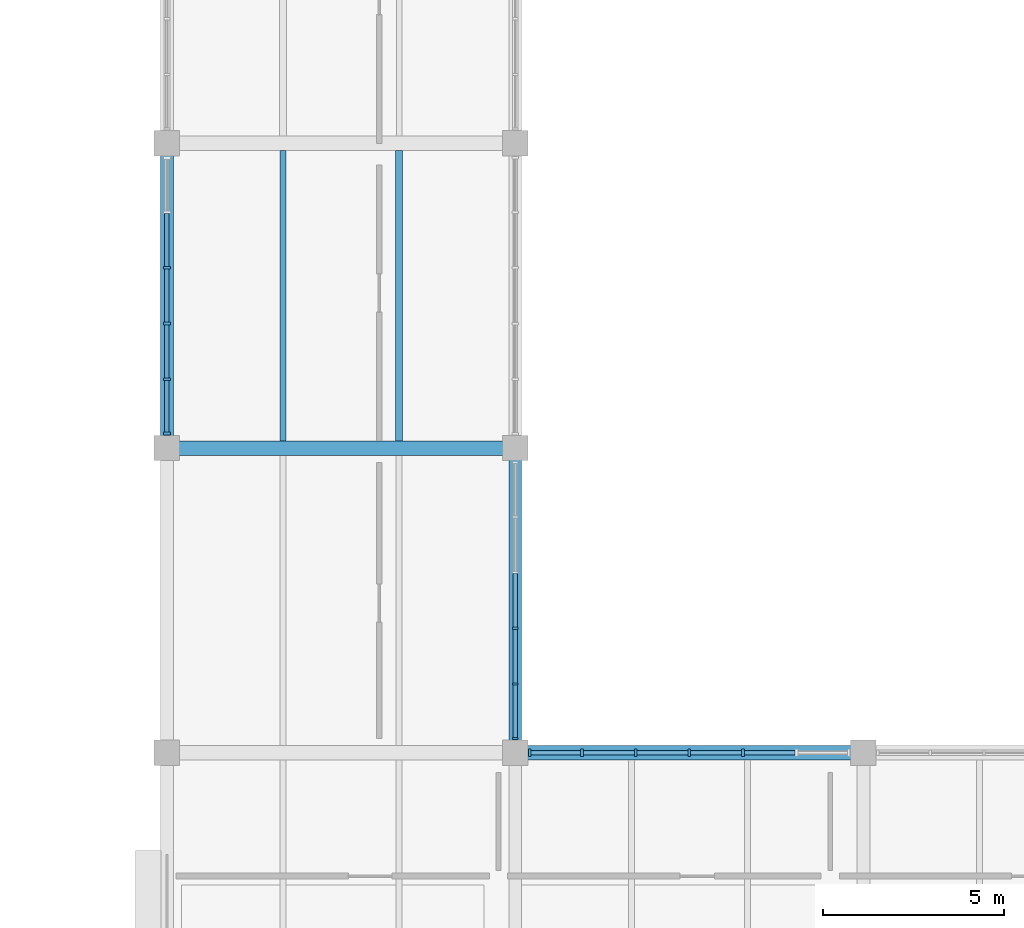
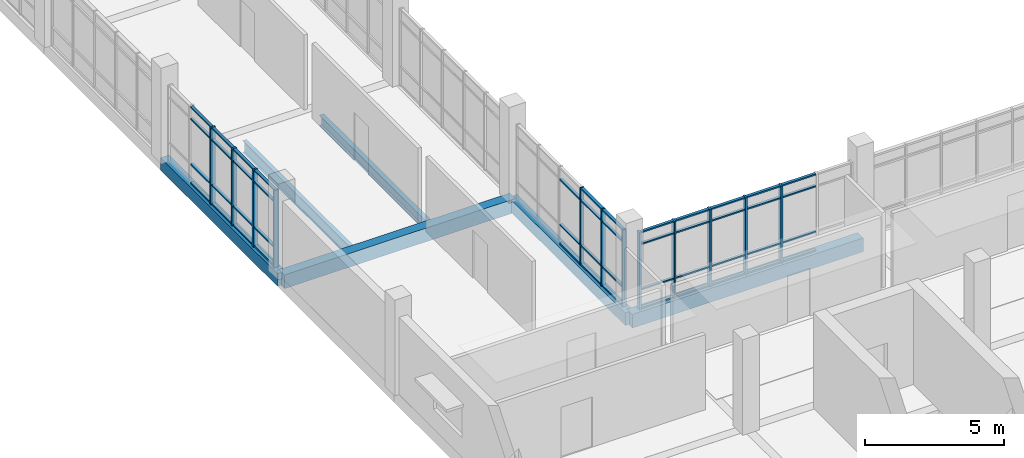
# One storey, part 6 of 57: 59 members, 6 beams, 3 elements without a shape of their own.
"""IFC4 building model written with IfcOpenShell, lengths in metres."""

from ifc_helpers import new_model, si_unit, direction, frame, origin, origin_2d, place, context, subcontext, project, spatial, rectangle, i_section, extrude, material, material_profile, profile_set, type_object, element, aggregate, save


model = new_model("IFC4")

# Units and contexts
model_context = context("Model", 3, precision=1e-05, world=origin(), true_north=direction((0.0, 1.0)))
body_context = subcontext(model_context, "Body", "Model", "MODEL_VIEW")
ifc_project = project(units=[si_unit("LENGTHUNIT", "METRE"), si_unit("AREAUNIT", "SQUARE_METRE"), si_unit("VOLUMEUNIT", "CUBIC_METRE"), si_unit("PLANEANGLEUNIT", "RADIAN"), si_unit("MASSUNIT", "GRAM", prefix="KILO")], contexts=[model_context])

# Site, building, storey
site_placement = place(None, origin())
site = spatial("IfcSite", under=ifc_project, at=site_placement, CompositionType="ELEMENT")
building_placement = place(site_placement, origin())
building = spatial("IfcBuilding", under=site, at=building_placement, Name="Oolite Switchyard Hospital", CompositionType="ELEMENT")
storey_placement = place(building_placement, frame((0.0, 0.0, 17.800048828125)))
storey = spatial("IfcBuildingStorey", under=building, at=storey_placement, Name="L04", CompositionType="ELEMENT", Elevation=17.800048828125)

# Beams
ifc_material_1 = material(Name="Concrete C40/50", Category="concrete")
ifc_material_profile_1 = material_profile(ifc_material_1, rectangle(XDim=0.35009765625, YDim=0.550048828125, at=origin_2d()), Name="RCB350X550")
ifc_profile_set_1 = profile_set([ifc_material_profile_1], Name="Concrete C40/50")
beam_type_1 = type_object("IfcBeamType", Name="BM-RC350X550", PredefinedType="BEAM", material=ifc_profile_set_1)
beam_1_placement = place(storey_placement, frame((134.39990234375, 33.60009765625, -0.275146484375), z_axis=(0.0, 1.0, 0.0), x_axis=(-1.0, 0.0, 0.0)))
element("IfcBeam", 1, at=beam_1_placement, inside=storey, type_object=beam_type_1, Name="L04 Y-Girder 2979", PredefinedType="BEAM", context=body_context, shape_type="SweptSolid", body=[
    extrude(rectangle(XDim=0.35009765625, YDim=0.550048828125, at=origin_2d()), origin(), (0.0, 0.0, 1.0), 8.39990234375),
])
beam_2_placement = place(storey_placement, frame((144.0, 25.199951171875, -0.275146484375), z_axis=(0.0, 1.0, 0.0), x_axis=(-1.0, 0.0, 0.0)))
element("IfcBeam", 2, at=beam_2_placement, inside=storey, type_object=beam_type_1, Name="L04 Y-Girder 2993", PredefinedType="BEAM", context=body_context, shape_type="SweptSolid", body=[
    extrude(rectangle(XDim=0.35009765625, YDim=0.550048828125, at=origin_2d()), origin(), (0.0, 0.0, 1.0), 8.400146484375),
])
ifc_material_profile_2 = material_profile(ifc_material_1, rectangle(XDim=0.39990234375, YDim=0.60009765625, at=origin_2d()), Name="RCB400X600")
ifc_profile_set_2 = profile_set([ifc_material_profile_2], Name="Concrete C40/50")
beam_type_2 = type_object("IfcBeamType", Name="BM-RC400X600", PredefinedType="BEAM", material=ifc_profile_set_2)
for number, where, z_axis, x_axis, name in (
    (3, (144.0, 25.199951171875, -0.300048828125), (1.0, 0.0, 0.0), (0.0, 1.0, 0.0), "L04 X-Girder 2772"),
    (4, (134.39990234375, 33.60009765625, -0.300048828125), (1.0, 0.0, 0.0), (0.0, 1.0, 0.0), "L04 X-Girder 2781"),
):
    element("IfcBeam", number, at=place(storey_placement, frame(where, z_axis=z_axis, x_axis=x_axis)), inside=storey, type_object=beam_type_2, Name=name, PredefinedType="BEAM", context=body_context, shape_type="SweptSolid", body=[
        extrude(rectangle(XDim=0.39990234375, YDim=0.60009765625, at=origin_2d()), origin(), (0.0, 0.0, 1.0), 9.60009765625),
    ])
ifc_material_2 = material(Name="Steel ASTM A992 Grade 50", Category="steel")
ifc_material_profile_3 = material_profile(ifc_material_2, i_section(OverallWidth=0.19091796875, OverallDepth=0.4599609375, WebThickness=0.010009765625, FlangeThickness=0.01611328125, at=origin_2d()), Name="W18X55")
ifc_profile_set_3 = profile_set([ifc_material_profile_3], Name="Steel ASTM A992 Grade 50")
beam_type_3 = type_object("IfcBeamType", Name="BM-W18X55", PredefinedType="JOIST", material=ifc_profile_set_3)
beam_3_placement = place(storey_placement, frame((140.800048828125, 33.800048828125, -0.505126953125), z_axis=(0.0, 1.0, 0.0), x_axis=(-1.0, 0.0, 0.0)))
element("IfcBeam", 5, at=beam_3_placement, inside=storey, type_object=beam_type_3, Name="L04 Secondary Steel Joist 3172", PredefinedType="JOIST", context=body_context, shape_type="SweptSolid", body=[
    extrude(i_section(OverallWidth=0.19091796875, OverallDepth=0.4599609375, WebThickness=0.010009765625, FlangeThickness=0.01611328125, at=origin_2d()), origin(), (0.0, 0.0, 1.0), 8.0),
])
ifc_material_profile_4 = material_profile(ifc_material_2, i_section(OverallWidth=0.166015625, OverallDepth=0.529052734375, WebThickness=0.010009765625, FlangeThickness=0.013916015625, at=origin_2d()), Name="W21X50")
ifc_profile_set_4 = profile_set([ifc_material_profile_4], Name="Steel ASTM A992 Grade 50")
beam_type_4 = type_object("IfcBeamType", Name="BM-W21X50", PredefinedType="JOIST", material=ifc_profile_set_4)
beam_4_placement = place(storey_placement, frame((137.60009765625, 33.800048828125, -0.5400390625), z_axis=(0.0, 1.0, 0.0), x_axis=(-1.0, 0.0, 0.0)))
element("IfcBeam", 6, at=beam_4_placement, inside=storey, type_object=beam_type_4, Name="L04 Secondary Steel Joist 3171", PredefinedType="JOIST", context=body_context, shape_type="SweptSolid", body=[
    extrude(i_section(OverallWidth=0.166015625, OverallDepth=0.529052734375, WebThickness=0.010009765625, FlangeThickness=0.013916015625, at=origin_2d()), origin(), (0.0, 0.0, 1.0), 8.0),
])

# Curtain wall, members
ifc_material_3 = material(Name="Thermally broken aluminum frame with laminated impact glazing", Category="aluminium")
curtain_wall_type_1 = type_object("IfcCurtainWallType", Name="CW-UNIT-84X42", PredefinedType="USERDEFINED", material=ifc_material_3)
curtain_wall_1_placement = place(storey_placement, origin())
curtain_wall_1 = element("IfcCurtainWall", 7, at=curtain_wall_1_placement, inside=storey, type_object=curtain_wall_type_1, Name="L04 Unitised Curtain Wall 368", ObjectType="UNITISED", PredefinedType="USERDEFINED")
ifc_material_4 = material(Name="Aluminium 6063-T6", Category="aluminium")
ifc_material_profile_5 = material_profile(ifc_material_4, rectangle(XDim=0.159912109375, YDim=0.06005859375, at=origin_2d()), Name="CWM60X160")
ifc_profile_set_5 = profile_set([ifc_material_profile_5], Name="Aluminium 6063-T6")
member_type_1 = type_object("IfcMemberType", Name="CW-MUL-180", PredefinedType="MULLION", material=ifc_profile_set_5)
member_1_placement = place(storey_placement, frame((144.0, 28.633056640625, 0.0), z_axis=(0.0, 0.0, 1.0), x_axis=(1.0, 0.0, 0.0)))
member_1 = element("IfcMember", 8, at=member_1_placement, type_object=member_type_1, Name="CW-10 mullion 4", PredefinedType="MULLION", context=body_context, shape_type="SweptSolid", body=[
    extrude(rectangle(XDim=0.159912109375, YDim=0.06005859375, at=origin_2d()), origin(), (0.0, 0.0, 1.0), 3.389892578125),
])
member_2_placement = place(storey_placement, frame((144.0, 27.09912109375, 0.0), z_axis=(0.0, 0.0, 1.0), x_axis=(1.0, 0.0, 0.0)))
member_2 = element("IfcMember", 9, at=member_2_placement, type_object=member_type_1, Name="CW-10 mullion 5", PredefinedType="MULLION", context=body_context, shape_type="SweptSolid", body=[
    extrude(rectangle(XDim=0.159912109375, YDim=0.06005859375, at=origin_2d()), origin(), (0.0, 0.0, 1.0), 3.389892578125),
])
member_3_placement = place(storey_placement, frame((144.0, 25.594970703125, 0.0), z_axis=(0.0, 0.0, 1.0), x_axis=(1.0, 0.0, 0.0)))
member_3 = element("IfcMember", 10, at=member_3_placement, type_object=member_type_1, Name="CW-10 mullion 6", PredefinedType="MULLION", context=body_context, shape_type="SweptSolid", body=[
    extrude(rectangle(XDim=0.159912109375, YDim=0.06005859375, at=origin_2d()), origin(), (0.0, 0.0, 1.0), 3.389892578125),
])

curtain_wall_type_2 = type_object("IfcCurtainWallType", Name="CW-UNIT-96X42", PredefinedType="USERDEFINED", material=ifc_material_3)
curtain_wall_2_placement = place(storey_placement, origin())
curtain_wall_2 = element("IfcCurtainWall", 11, at=curtain_wall_2_placement, inside=storey, type_object=curtain_wall_type_2, Name="L04 Unitised Curtain Wall 358", ObjectType="UNITISED", PredefinedType="USERDEFINED")
ifc_material_profile_6 = material_profile(ifc_material_4, rectangle(XDim=0.199951171875, YDim=0.074951171875, at=origin_2d()), Name="CWM75X200")
ifc_profile_set_6 = profile_set([ifc_material_profile_6], Name="Aluminium 6063-T6")
member_type_2 = type_object("IfcMemberType", Name="CW-MUL-260", PredefinedType="MULLION", material=ifc_profile_set_6)
member_4_placement = place(storey_placement, frame((144.402587890625, 25.199951171875, 0.0), z_axis=(0.0, 0.0, 1.0), x_axis=(0.0, 1.0, 0.0)))
member_4 = element("IfcMember", 12, at=member_4_placement, type_object=member_type_2, Name="CW-05 mullion 1", PredefinedType="MULLION", context=body_context, shape_type="SweptSolid", body=[
    extrude(rectangle(XDim=0.199951171875, YDim=0.074951171875, at=origin_2d()), origin(), (0.0, 0.0, 1.0), 3.389892578125),
])
member_5_placement = place(storey_placement, frame((145.84326171875, 25.199951171875, 0.0), z_axis=(0.0, 0.0, 1.0), x_axis=(0.0, 1.0, 0.0)))
member_5 = element("IfcMember", 13, at=member_5_placement, type_object=member_type_2, Name="CW-05 mullion 2", PredefinedType="MULLION", context=body_context, shape_type="SweptSolid", body=[
    extrude(rectangle(XDim=0.199951171875, YDim=0.074951171875, at=origin_2d()), origin(), (0.0, 0.0, 1.0), 3.389892578125),
])
member_6_placement = place(storey_placement, frame((147.32177734375, 25.199951171875, 0.0), z_axis=(0.0, 0.0, 1.0), x_axis=(0.0, 1.0, 0.0)))
member_6 = element("IfcMember", 14, at=member_6_placement, type_object=member_type_2, Name="CW-05 mullion 3", PredefinedType="MULLION", context=body_context, shape_type="SweptSolid", body=[
    extrude(rectangle(XDim=0.199951171875, YDim=0.074951171875, at=origin_2d()), origin(), (0.0, 0.0, 1.0), 3.389892578125),
])
member_7_placement = place(storey_placement, frame((148.800048828125, 25.199951171875, 0.0), z_axis=(0.0, 0.0, 1.0), x_axis=(0.0, 1.0, 0.0)))
member_7 = element("IfcMember", 15, at=member_7_placement, type_object=member_type_2, Name="CW-05 mullion 4", PredefinedType="MULLION", context=body_context, shape_type="SweptSolid", body=[
    extrude(rectangle(XDim=0.199951171875, YDim=0.074951171875, at=origin_2d()), origin(), (0.0, 0.0, 1.0), 3.389892578125),
])
member_8_placement = place(storey_placement, frame((150.2783203125, 25.199951171875, 0.0), z_axis=(0.0, 0.0, 1.0), x_axis=(0.0, 1.0, 0.0)))
member_8 = element("IfcMember", 16, at=member_8_placement, type_object=member_type_2, Name="CW-05 mullion 5", PredefinedType="MULLION", context=body_context, shape_type="SweptSolid", body=[
    extrude(rectangle(XDim=0.199951171875, YDim=0.074951171875, at=origin_2d()), origin(), (0.0, 0.0, 1.0), 3.389892578125),
])

curtain_wall_3_placement = place(storey_placement, origin())
curtain_wall_3 = element("IfcCurtainWall", 17, at=curtain_wall_3_placement, inside=storey, type_object=curtain_wall_type_1, Name="L04 Unitised Curtain Wall 364", ObjectType="UNITISED", PredefinedType="USERDEFINED")
member_9_placement = place(storey_placement, frame((134.39990234375, 34.00244140625, 0.0), z_axis=(0.0, 0.0, 1.0), x_axis=(-1.0, 0.0, 0.0)))
member_9 = element("IfcMember", 18, at=member_9_placement, type_object=member_type_2, Name="CW-10 mullion 1", PredefinedType="MULLION", context=body_context, shape_type="SweptSolid", body=[
    extrude(rectangle(XDim=0.199951171875, YDim=0.074951171875, at=origin_2d()), origin(), (0.0, 0.0, 1.0), 3.389892578125),
])
member_10_placement = place(storey_placement, frame((134.39990234375, 35.4990234375, 0.0), z_axis=(0.0, 0.0, 1.0), x_axis=(-1.0, 0.0, 0.0)))
member_10 = element("IfcMember", 19, at=member_10_placement, type_object=member_type_2, Name="CW-10 mullion 2", PredefinedType="MULLION", context=body_context, shape_type="SweptSolid", body=[
    extrude(rectangle(XDim=0.199951171875, YDim=0.074951171875, at=origin_2d()), origin(), (0.0, 0.0, 1.0), 3.389892578125),
])
member_11_placement = place(storey_placement, frame((134.39990234375, 37.032958984375, 0.0), z_axis=(0.0, 0.0, 1.0), x_axis=(-1.0, 0.0, 0.0)))
member_11 = element("IfcMember", 20, at=member_11_placement, type_object=member_type_2, Name="CW-10 mullion 3", PredefinedType="MULLION", context=body_context, shape_type="SweptSolid", body=[
    extrude(rectangle(XDim=0.199951171875, YDim=0.074951171875, at=origin_2d()), origin(), (0.0, 0.0, 1.0), 3.389892578125),
])
member_12_placement = place(storey_placement, frame((134.39990234375, 38.56689453125, 0.0), z_axis=(0.0, 0.0, 1.0), x_axis=(-1.0, 0.0, 0.0)))
member_12 = element("IfcMember", 21, at=member_12_placement, type_object=member_type_2, Name="CW-10 mullion 4", PredefinedType="MULLION", context=body_context, shape_type="SweptSolid", body=[
    extrude(rectangle(XDim=0.199951171875, YDim=0.074951171875, at=origin_2d()), origin(), (0.0, 0.0, 1.0), 3.389892578125),
])

# Member
ifc_material_profile_7 = material_profile(ifc_material_4, rectangle(XDim=0.1201171875, YDim=0.06005859375, at=origin_2d()), Name="CWT60X120")
ifc_profile_set_7 = profile_set([ifc_material_profile_7], Name="Aluminium 6063-T6")
member_type_3 = type_object("IfcMemberType", Name="CW-TRN-150", PredefinedType="USERDEFINED", material=ifc_profile_set_7)
member_13_placement = place(storey_placement, frame((144.43994140625, 25.199951171875, 0.030029296875), z_axis=(1.0, 0.0, 0.0), x_axis=(0.0, 1.0, 0.0)))
member_13 = element("IfcMember", 22, at=member_13_placement, type_object=member_type_3, Name="CW-05 transom 1.1", ObjectType="TRANSOM", PredefinedType="USERDEFINED", context=body_context, shape_type="SweptSolid", body=[
    extrude(rectangle(XDim=0.1201171875, YDim=0.06005859375, at=origin_2d()), origin(), (0.0, 0.0, 1.0), 1.365966796875),
])

member_14_placement = place(storey_placement, frame((144.43994140625, 25.199951171875, 0.849853515625), z_axis=(1.0, 0.0, 0.0), x_axis=(0.0, 1.0, 0.0)))
member_14 = element("IfcMember", 23, at=member_14_placement, type_object=member_type_3, Name="CW-05 transom 1.2", ObjectType="TRANSOM", PredefinedType="USERDEFINED", context=body_context, shape_type="SweptSolid", body=[
    extrude(rectangle(XDim=0.1201171875, YDim=0.06005859375, at=origin_2d()), origin(), (0.0, 0.0, 1.0), 1.365966796875),
])

member_15_placement = place(storey_placement, frame((144.43994140625, 25.199951171875, 2.83984375), z_axis=(1.0, 0.0, 0.0), x_axis=(0.0, 1.0, 0.0)))
member_15 = element("IfcMember", 24, at=member_15_placement, type_object=member_type_3, Name="CW-05 transom 1.3", ObjectType="TRANSOM", PredefinedType="USERDEFINED", context=body_context, shape_type="SweptSolid", body=[
    extrude(rectangle(XDim=0.1201171875, YDim=0.06005859375, at=origin_2d()), origin(), (0.0, 0.0, 1.0), 1.365966796875),
])

member_16_placement = place(storey_placement, frame((144.43994140625, 25.199951171875, 3.35986328125), z_axis=(1.0, 0.0, 0.0), x_axis=(0.0, 1.0, 0.0)))
member_16 = element("IfcMember", 25, at=member_16_placement, type_object=member_type_3, Name="CW-05 transom 1.4", ObjectType="TRANSOM", PredefinedType="USERDEFINED", context=body_context, shape_type="SweptSolid", body=[
    extrude(rectangle(XDim=0.1201171875, YDim=0.06005859375, at=origin_2d()), origin(), (0.0, 0.0, 1.0), 1.365966796875),
])

member_17_placement = place(storey_placement, frame((145.880859375, 25.199951171875, 0.030029296875), z_axis=(1.0, 0.0, 0.0), x_axis=(0.0, 1.0, 0.0)))
member_17 = element("IfcMember", 26, at=member_17_placement, type_object=member_type_3, Name="CW-05 transom 2.1", ObjectType="TRANSOM", PredefinedType="USERDEFINED", context=body_context, shape_type="SweptSolid", body=[
    extrude(rectangle(XDim=0.1201171875, YDim=0.06005859375, at=origin_2d()), origin(), (0.0, 0.0, 1.0), 1.4033203125),
])

member_18_placement = place(storey_placement, frame((145.880859375, 25.199951171875, 0.849853515625), z_axis=(1.0, 0.0, 0.0), x_axis=(0.0, 1.0, 0.0)))
member_18 = element("IfcMember", 27, at=member_18_placement, type_object=member_type_3, Name="CW-05 transom 2.2", ObjectType="TRANSOM", PredefinedType="USERDEFINED", context=body_context, shape_type="SweptSolid", body=[
    extrude(rectangle(XDim=0.1201171875, YDim=0.06005859375, at=origin_2d()), origin(), (0.0, 0.0, 1.0), 1.4033203125),
])

member_19_placement = place(storey_placement, frame((145.880859375, 25.199951171875, 2.83984375), z_axis=(1.0, 0.0, 0.0), x_axis=(0.0, 1.0, 0.0)))
member_19 = element("IfcMember", 28, at=member_19_placement, type_object=member_type_3, Name="CW-05 transom 2.3", ObjectType="TRANSOM", PredefinedType="USERDEFINED", context=body_context, shape_type="SweptSolid", body=[
    extrude(rectangle(XDim=0.1201171875, YDim=0.06005859375, at=origin_2d()), origin(), (0.0, 0.0, 1.0), 1.4033203125),
])

member_20_placement = place(storey_placement, frame((145.880859375, 25.199951171875, 3.35986328125), z_axis=(1.0, 0.0, 0.0), x_axis=(0.0, 1.0, 0.0)))
member_20 = element("IfcMember", 29, at=member_20_placement, type_object=member_type_3, Name="CW-05 transom 2.4", ObjectType="TRANSOM", PredefinedType="USERDEFINED", context=body_context, shape_type="SweptSolid", body=[
    extrude(rectangle(XDim=0.1201171875, YDim=0.06005859375, at=origin_2d()), origin(), (0.0, 0.0, 1.0), 1.4033203125),
])

member_21_placement = place(storey_placement, frame((147.359130859375, 25.199951171875, 0.030029296875), z_axis=(1.0, 0.0, 0.0), x_axis=(0.0, 1.0, 0.0)))
member_21 = element("IfcMember", 30, at=member_21_placement, type_object=member_type_3, Name="CW-05 transom 3.1", ObjectType="TRANSOM", PredefinedType="USERDEFINED", context=body_context, shape_type="SweptSolid", body=[
    extrude(rectangle(XDim=0.1201171875, YDim=0.06005859375, at=origin_2d()), origin(), (0.0, 0.0, 1.0), 1.4033203125),
])

member_22_placement = place(storey_placement, frame((147.359130859375, 25.199951171875, 0.849853515625), z_axis=(1.0, 0.0, 0.0), x_axis=(0.0, 1.0, 0.0)))
member_22 = element("IfcMember", 31, at=member_22_placement, type_object=member_type_3, Name="CW-05 transom 3.2", ObjectType="TRANSOM", PredefinedType="USERDEFINED", context=body_context, shape_type="SweptSolid", body=[
    extrude(rectangle(XDim=0.1201171875, YDim=0.06005859375, at=origin_2d()), origin(), (0.0, 0.0, 1.0), 1.4033203125),
])

member_23_placement = place(storey_placement, frame((147.359130859375, 25.199951171875, 2.83984375), z_axis=(1.0, 0.0, 0.0), x_axis=(0.0, 1.0, 0.0)))
member_23 = element("IfcMember", 32, at=member_23_placement, type_object=member_type_3, Name="CW-05 transom 3.3", ObjectType="TRANSOM", PredefinedType="USERDEFINED", context=body_context, shape_type="SweptSolid", body=[
    extrude(rectangle(XDim=0.1201171875, YDim=0.06005859375, at=origin_2d()), origin(), (0.0, 0.0, 1.0), 1.4033203125),
])

member_24_placement = place(storey_placement, frame((147.359130859375, 25.199951171875, 3.35986328125), z_axis=(1.0, 0.0, 0.0), x_axis=(0.0, 1.0, 0.0)))
member_24 = element("IfcMember", 33, at=member_24_placement, type_object=member_type_3, Name="CW-05 transom 3.4", ObjectType="TRANSOM", PredefinedType="USERDEFINED", context=body_context, shape_type="SweptSolid", body=[
    extrude(rectangle(XDim=0.1201171875, YDim=0.06005859375, at=origin_2d()), origin(), (0.0, 0.0, 1.0), 1.4033203125),
])

member_25_placement = place(storey_placement, frame((148.83740234375, 25.199951171875, 0.030029296875), z_axis=(1.0, 0.0, 0.0), x_axis=(0.0, 1.0, 0.0)))
member_25 = element("IfcMember", 34, at=member_25_placement, type_object=member_type_3, Name="CW-05 transom 4.1", ObjectType="TRANSOM", PredefinedType="USERDEFINED", context=body_context, shape_type="SweptSolid", body=[
    extrude(rectangle(XDim=0.1201171875, YDim=0.06005859375, at=origin_2d()), origin(), (0.0, 0.0, 1.0), 1.4033203125),
])

member_26_placement = place(storey_placement, frame((148.83740234375, 25.199951171875, 0.849853515625), z_axis=(1.0, 0.0, 0.0), x_axis=(0.0, 1.0, 0.0)))
member_26 = element("IfcMember", 35, at=member_26_placement, type_object=member_type_3, Name="CW-05 transom 4.2", ObjectType="TRANSOM", PredefinedType="USERDEFINED", context=body_context, shape_type="SweptSolid", body=[
    extrude(rectangle(XDim=0.1201171875, YDim=0.06005859375, at=origin_2d()), origin(), (0.0, 0.0, 1.0), 1.4033203125),
])

member_27_placement = place(storey_placement, frame((148.83740234375, 25.199951171875, 2.83984375), z_axis=(1.0, 0.0, 0.0), x_axis=(0.0, 1.0, 0.0)))
member_27 = element("IfcMember", 36, at=member_27_placement, type_object=member_type_3, Name="CW-05 transom 4.3", ObjectType="TRANSOM", PredefinedType="USERDEFINED", context=body_context, shape_type="SweptSolid", body=[
    extrude(rectangle(XDim=0.1201171875, YDim=0.06005859375, at=origin_2d()), origin(), (0.0, 0.0, 1.0), 1.4033203125),
])

member_28_placement = place(storey_placement, frame((148.83740234375, 25.199951171875, 3.35986328125), z_axis=(1.0, 0.0, 0.0), x_axis=(0.0, 1.0, 0.0)))
member_28 = element("IfcMember", 37, at=member_28_placement, type_object=member_type_3, Name="CW-05 transom 4.4", ObjectType="TRANSOM", PredefinedType="USERDEFINED", context=body_context, shape_type="SweptSolid", body=[
    extrude(rectangle(XDim=0.1201171875, YDim=0.06005859375, at=origin_2d()), origin(), (0.0, 0.0, 1.0), 1.4033203125),
])

member_29_placement = place(storey_placement, frame((150.31591796875, 25.199951171875, 0.030029296875), z_axis=(1.0, 0.0, 0.0), x_axis=(0.0, 1.0, 0.0)))
member_29 = element("IfcMember", 38, at=member_29_placement, type_object=member_type_3, Name="CW-05 transom 5.1", ObjectType="TRANSOM", PredefinedType="USERDEFINED", context=body_context, shape_type="SweptSolid", body=[
    extrude(rectangle(XDim=0.1201171875, YDim=0.06005859375, at=origin_2d()), origin(), (0.0, 0.0, 1.0), 1.4033203125),
])

member_30_placement = place(storey_placement, frame((150.31591796875, 25.199951171875, 0.849853515625), z_axis=(1.0, 0.0, 0.0), x_axis=(0.0, 1.0, 0.0)))
member_30 = element("IfcMember", 39, at=member_30_placement, type_object=member_type_3, Name="CW-05 transom 5.2", ObjectType="TRANSOM", PredefinedType="USERDEFINED", context=body_context, shape_type="SweptSolid", body=[
    extrude(rectangle(XDim=0.1201171875, YDim=0.06005859375, at=origin_2d()), origin(), (0.0, 0.0, 1.0), 1.4033203125),
])

member_31_placement = place(storey_placement, frame((150.31591796875, 25.199951171875, 2.83984375), z_axis=(1.0, 0.0, 0.0), x_axis=(0.0, 1.0, 0.0)))
member_31 = element("IfcMember", 40, at=member_31_placement, type_object=member_type_3, Name="CW-05 transom 5.3", ObjectType="TRANSOM", PredefinedType="USERDEFINED", context=body_context, shape_type="SweptSolid", body=[
    extrude(rectangle(XDim=0.1201171875, YDim=0.06005859375, at=origin_2d()), origin(), (0.0, 0.0, 1.0), 1.4033203125),
])

member_32_placement = place(storey_placement, frame((150.31591796875, 25.199951171875, 3.35986328125), z_axis=(1.0, 0.0, 0.0), x_axis=(0.0, 1.0, 0.0)))
member_32 = element("IfcMember", 41, at=member_32_placement, type_object=member_type_3, Name="CW-05 transom 5.4", ObjectType="TRANSOM", PredefinedType="USERDEFINED", context=body_context, shape_type="SweptSolid", body=[
    extrude(rectangle(XDim=0.1201171875, YDim=0.06005859375, at=origin_2d()), origin(), (0.0, 0.0, 1.0), 1.4033203125),
])

aggregate(curtain_wall_2, [member_4, member_5, member_6, member_7, member_8, member_13, member_14, member_15, member_16, member_17, member_18, member_19, member_20, member_21, member_22, member_23, member_24, member_25, member_26, member_27, member_28, member_29, member_30, member_31, member_32])

member_33_placement = place(storey_placement, frame((134.39990234375, 34.0400390625, 0.030029296875), z_axis=(0.0, 1.0, 0.0), x_axis=(-1.0, 0.0, 0.0)))
member_33 = element("IfcMember", 42, at=member_33_placement, type_object=member_type_3, Name="CW-10 transom 1.1", ObjectType="TRANSOM", PredefinedType="USERDEFINED", context=body_context, shape_type="SweptSolid", body=[
    extrude(rectangle(XDim=0.1201171875, YDim=0.06005859375, at=origin_2d()), origin(), (0.0, 0.0, 1.0), 1.42138671875),
])

member_34_placement = place(storey_placement, frame((134.39990234375, 34.0400390625, 0.849853515625), z_axis=(0.0, 1.0, 0.0), x_axis=(-1.0, 0.0, 0.0)))
member_34 = element("IfcMember", 43, at=member_34_placement, type_object=member_type_3, Name="CW-10 transom 1.2", ObjectType="TRANSOM", PredefinedType="USERDEFINED", context=body_context, shape_type="SweptSolid", body=[
    extrude(rectangle(XDim=0.1201171875, YDim=0.06005859375, at=origin_2d()), origin(), (0.0, 0.0, 1.0), 1.42138671875),
])

member_35_placement = place(storey_placement, frame((134.39990234375, 34.0400390625, 2.83984375), z_axis=(0.0, 1.0, 0.0), x_axis=(-1.0, 0.0, 0.0)))
member_35 = element("IfcMember", 44, at=member_35_placement, type_object=member_type_3, Name="CW-10 transom 1.3", ObjectType="TRANSOM", PredefinedType="USERDEFINED", context=body_context, shape_type="SweptSolid", body=[
    extrude(rectangle(XDim=0.1201171875, YDim=0.06005859375, at=origin_2d()), origin(), (0.0, 0.0, 1.0), 1.42138671875),
])

member_36_placement = place(storey_placement, frame((134.39990234375, 34.0400390625, 3.35986328125), z_axis=(0.0, 1.0, 0.0), x_axis=(-1.0, 0.0, 0.0)))
member_36 = element("IfcMember", 45, at=member_36_placement, type_object=member_type_3, Name="CW-10 transom 1.4", ObjectType="TRANSOM", PredefinedType="USERDEFINED", context=body_context, shape_type="SweptSolid", body=[
    extrude(rectangle(XDim=0.1201171875, YDim=0.06005859375, at=origin_2d()), origin(), (0.0, 0.0, 1.0), 1.42138671875),
])

member_37_placement = place(storey_placement, frame((134.39990234375, 35.53662109375, 0.030029296875), z_axis=(0.0, 1.0, 0.0), x_axis=(-1.0, 0.0, 0.0)))
member_37 = element("IfcMember", 46, at=member_37_placement, type_object=member_type_3, Name="CW-10 transom 2.1", ObjectType="TRANSOM", PredefinedType="USERDEFINED", context=body_context, shape_type="SweptSolid", body=[
    extrude(rectangle(XDim=0.1201171875, YDim=0.06005859375, at=origin_2d()), origin(), (0.0, 0.0, 1.0), 1.458984375),
])

member_38_placement = place(storey_placement, frame((134.39990234375, 35.53662109375, 0.849853515625), z_axis=(0.0, 1.0, 0.0), x_axis=(-1.0, 0.0, 0.0)))
member_38 = element("IfcMember", 47, at=member_38_placement, type_object=member_type_3, Name="CW-10 transom 2.2", ObjectType="TRANSOM", PredefinedType="USERDEFINED", context=body_context, shape_type="SweptSolid", body=[
    extrude(rectangle(XDim=0.1201171875, YDim=0.06005859375, at=origin_2d()), origin(), (0.0, 0.0, 1.0), 1.458984375),
])

member_39_placement = place(storey_placement, frame((134.39990234375, 35.53662109375, 2.83984375), z_axis=(0.0, 1.0, 0.0), x_axis=(-1.0, 0.0, 0.0)))
member_39 = element("IfcMember", 48, at=member_39_placement, type_object=member_type_3, Name="CW-10 transom 2.3", ObjectType="TRANSOM", PredefinedType="USERDEFINED", context=body_context, shape_type="SweptSolid", body=[
    extrude(rectangle(XDim=0.1201171875, YDim=0.06005859375, at=origin_2d()), origin(), (0.0, 0.0, 1.0), 1.458984375),
])

member_40_placement = place(storey_placement, frame((134.39990234375, 35.53662109375, 3.35986328125), z_axis=(0.0, 1.0, 0.0), x_axis=(-1.0, 0.0, 0.0)))
member_40 = element("IfcMember", 49, at=member_40_placement, type_object=member_type_3, Name="CW-10 transom 2.4", ObjectType="TRANSOM", PredefinedType="USERDEFINED", context=body_context, shape_type="SweptSolid", body=[
    extrude(rectangle(XDim=0.1201171875, YDim=0.06005859375, at=origin_2d()), origin(), (0.0, 0.0, 1.0), 1.458984375),
])

member_41_placement = place(storey_placement, frame((134.39990234375, 37.070556640625, 0.030029296875), z_axis=(0.0, 1.0, 0.0), x_axis=(-1.0, 0.0, 0.0)))
member_41 = element("IfcMember", 50, at=member_41_placement, type_object=member_type_3, Name="CW-10 transom 3.1", ObjectType="TRANSOM", PredefinedType="USERDEFINED", context=body_context, shape_type="SweptSolid", body=[
    extrude(rectangle(XDim=0.1201171875, YDim=0.06005859375, at=origin_2d()), origin(), (0.0, 0.0, 1.0), 1.458984375),
])

member_42_placement = place(storey_placement, frame((134.39990234375, 37.070556640625, 0.849853515625), z_axis=(0.0, 1.0, 0.0), x_axis=(-1.0, 0.0, 0.0)))
member_42 = element("IfcMember", 51, at=member_42_placement, type_object=member_type_3, Name="CW-10 transom 3.2", ObjectType="TRANSOM", PredefinedType="USERDEFINED", context=body_context, shape_type="SweptSolid", body=[
    extrude(rectangle(XDim=0.1201171875, YDim=0.06005859375, at=origin_2d()), origin(), (0.0, 0.0, 1.0), 1.458984375),
])

member_43_placement = place(storey_placement, frame((134.39990234375, 37.070556640625, 2.83984375), z_axis=(0.0, 1.0, 0.0), x_axis=(-1.0, 0.0, 0.0)))
member_43 = element("IfcMember", 52, at=member_43_placement, type_object=member_type_3, Name="CW-10 transom 3.3", ObjectType="TRANSOM", PredefinedType="USERDEFINED", context=body_context, shape_type="SweptSolid", body=[
    extrude(rectangle(XDim=0.1201171875, YDim=0.06005859375, at=origin_2d()), origin(), (0.0, 0.0, 1.0), 1.458984375),
])

member_44_placement = place(storey_placement, frame((134.39990234375, 37.070556640625, 3.35986328125), z_axis=(0.0, 1.0, 0.0), x_axis=(-1.0, 0.0, 0.0)))
member_44 = element("IfcMember", 53, at=member_44_placement, type_object=member_type_3, Name="CW-10 transom 3.4", ObjectType="TRANSOM", PredefinedType="USERDEFINED", context=body_context, shape_type="SweptSolid", body=[
    extrude(rectangle(XDim=0.1201171875, YDim=0.06005859375, at=origin_2d()), origin(), (0.0, 0.0, 1.0), 1.458984375),
])

member_45_placement = place(storey_placement, frame((134.39990234375, 38.6044921875, 0.030029296875), z_axis=(0.0, 1.0, 0.0), x_axis=(-1.0, 0.0, 0.0)))
member_45 = element("IfcMember", 54, at=member_45_placement, type_object=member_type_3, Name="CW-10 transom 4.1", ObjectType="TRANSOM", PredefinedType="USERDEFINED", context=body_context, shape_type="SweptSolid", body=[
    extrude(rectangle(XDim=0.1201171875, YDim=0.06005859375, at=origin_2d()), origin(), (0.0, 0.0, 1.0), 1.458984375),
])

member_46_placement = place(storey_placement, frame((134.39990234375, 38.6044921875, 0.849853515625), z_axis=(0.0, 1.0, 0.0), x_axis=(-1.0, 0.0, 0.0)))
member_46 = element("IfcMember", 55, at=member_46_placement, type_object=member_type_3, Name="CW-10 transom 4.2", ObjectType="TRANSOM", PredefinedType="USERDEFINED", context=body_context, shape_type="SweptSolid", body=[
    extrude(rectangle(XDim=0.1201171875, YDim=0.06005859375, at=origin_2d()), origin(), (0.0, 0.0, 1.0), 1.458984375),
])

member_47_placement = place(storey_placement, frame((134.39990234375, 38.6044921875, 2.83984375), z_axis=(0.0, 1.0, 0.0), x_axis=(-1.0, 0.0, 0.0)))
member_47 = element("IfcMember", 56, at=member_47_placement, type_object=member_type_3, Name="CW-10 transom 4.3", ObjectType="TRANSOM", PredefinedType="USERDEFINED", context=body_context, shape_type="SweptSolid", body=[
    extrude(rectangle(XDim=0.1201171875, YDim=0.06005859375, at=origin_2d()), origin(), (0.0, 0.0, 1.0), 1.458984375),
])

member_48_placement = place(storey_placement, frame((134.39990234375, 38.6044921875, 3.35986328125), z_axis=(0.0, 1.0, 0.0), x_axis=(-1.0, 0.0, 0.0)))
member_48 = element("IfcMember", 57, at=member_48_placement, type_object=member_type_3, Name="CW-10 transom 4.4", ObjectType="TRANSOM", PredefinedType="USERDEFINED", context=body_context, shape_type="SweptSolid", body=[
    extrude(rectangle(XDim=0.1201171875, YDim=0.06005859375, at=origin_2d()), origin(), (0.0, 0.0, 1.0), 1.458984375),
])

aggregate(curtain_wall_3, [member_9, member_10, member_11, member_12, member_33, member_34, member_35, member_36, member_37, member_38, member_39, member_40, member_41, member_42, member_43, member_44, member_45, member_46, member_47, member_48])

member_49_placement = place(storey_placement, frame((144.0, 30.136962890625, 0.030029296875), z_axis=(0.0, -1.0, 0.0), x_axis=(1.0, 0.0, 0.0)))
member_49 = element("IfcMember", 58, at=member_49_placement, type_object=member_type_3, Name="CW-10 transom 3.1", ObjectType="TRANSOM", PredefinedType="USERDEFINED", context=body_context, shape_type="SweptSolid", body=[
    extrude(rectangle(XDim=0.1201171875, YDim=0.06005859375, at=origin_2d()), origin(), (0.0, 0.0, 1.0), 1.473876953125),
])

member_50_placement = place(storey_placement, frame((144.0, 30.136962890625, 0.849853515625), z_axis=(0.0, -1.0, 0.0), x_axis=(1.0, 0.0, 0.0)))
member_50 = element("IfcMember", 59, at=member_50_placement, type_object=member_type_3, Name="CW-10 transom 3.2", ObjectType="TRANSOM", PredefinedType="USERDEFINED", context=body_context, shape_type="SweptSolid", body=[
    extrude(rectangle(XDim=0.1201171875, YDim=0.06005859375, at=origin_2d()), origin(), (0.0, 0.0, 1.0), 1.473876953125),
])

member_51_placement = place(storey_placement, frame((144.0, 30.136962890625, 2.83984375), z_axis=(0.0, -1.0, 0.0), x_axis=(1.0, 0.0, 0.0)))
member_51 = element("IfcMember", 60, at=member_51_placement, type_object=member_type_3, Name="CW-10 transom 3.3", ObjectType="TRANSOM", PredefinedType="USERDEFINED", context=body_context, shape_type="SweptSolid", body=[
    extrude(rectangle(XDim=0.1201171875, YDim=0.06005859375, at=origin_2d()), origin(), (0.0, 0.0, 1.0), 1.473876953125),
])

member_52_placement = place(storey_placement, frame((144.0, 28.60302734375, 0.030029296875), z_axis=(0.0, -1.0, 0.0), x_axis=(1.0, 0.0, 0.0)))
member_52 = element("IfcMember", 61, at=member_52_placement, type_object=member_type_3, Name="CW-10 transom 4.1", ObjectType="TRANSOM", PredefinedType="USERDEFINED", context=body_context, shape_type="SweptSolid", body=[
    extrude(rectangle(XDim=0.1201171875, YDim=0.06005859375, at=origin_2d()), origin(), (0.0, 0.0, 1.0), 1.47412109375),
])

member_53_placement = place(storey_placement, frame((144.0, 28.60302734375, 0.849853515625), z_axis=(0.0, -1.0, 0.0), x_axis=(1.0, 0.0, 0.0)))
member_53 = element("IfcMember", 62, at=member_53_placement, type_object=member_type_3, Name="CW-10 transom 4.2", ObjectType="TRANSOM", PredefinedType="USERDEFINED", context=body_context, shape_type="SweptSolid", body=[
    extrude(rectangle(XDim=0.1201171875, YDim=0.06005859375, at=origin_2d()), origin(), (0.0, 0.0, 1.0), 1.47412109375),
])

member_54_placement = place(storey_placement, frame((144.0, 28.60302734375, 2.83984375), z_axis=(0.0, -1.0, 0.0), x_axis=(1.0, 0.0, 0.0)))
member_54 = element("IfcMember", 63, at=member_54_placement, type_object=member_type_3, Name="CW-10 transom 4.3", ObjectType="TRANSOM", PredefinedType="USERDEFINED", context=body_context, shape_type="SweptSolid", body=[
    extrude(rectangle(XDim=0.1201171875, YDim=0.06005859375, at=origin_2d()), origin(), (0.0, 0.0, 1.0), 1.47412109375),
])

member_55_placement = place(storey_placement, frame((144.0, 28.60302734375, 3.35986328125), z_axis=(0.0, -1.0, 0.0), x_axis=(1.0, 0.0, 0.0)))
member_55 = element("IfcMember", 64, at=member_55_placement, type_object=member_type_3, Name="CW-10 transom 4.4", ObjectType="TRANSOM", PredefinedType="USERDEFINED", context=body_context, shape_type="SweptSolid", body=[
    extrude(rectangle(XDim=0.1201171875, YDim=0.06005859375, at=origin_2d()), origin(), (0.0, 0.0, 1.0), 1.47412109375),
])

member_56_placement = place(storey_placement, frame((144.0, 27.069091796875, 0.030029296875), z_axis=(0.0, -1.0, 0.0), x_axis=(1.0, 0.0, 0.0)))
member_56 = element("IfcMember", 65, at=member_56_placement, type_object=member_type_3, Name="CW-10 transom 5.1", ObjectType="TRANSOM", PredefinedType="USERDEFINED", context=body_context, shape_type="SweptSolid", body=[
    extrude(rectangle(XDim=0.1201171875, YDim=0.06005859375, at=origin_2d()), origin(), (0.0, 0.0, 1.0), 1.444091796875),
])

member_57_placement = place(storey_placement, frame((144.0, 27.069091796875, 0.849853515625), z_axis=(0.0, -1.0, 0.0), x_axis=(1.0, 0.0, 0.0)))
member_57 = element("IfcMember", 66, at=member_57_placement, type_object=member_type_3, Name="CW-10 transom 5.2", ObjectType="TRANSOM", PredefinedType="USERDEFINED", context=body_context, shape_type="SweptSolid", body=[
    extrude(rectangle(XDim=0.1201171875, YDim=0.06005859375, at=origin_2d()), origin(), (0.0, 0.0, 1.0), 1.444091796875),
])

member_58_placement = place(storey_placement, frame((144.0, 27.069091796875, 2.83984375), z_axis=(0.0, -1.0, 0.0), x_axis=(1.0, 0.0, 0.0)))
member_58 = element("IfcMember", 67, at=member_58_placement, type_object=member_type_3, Name="CW-10 transom 5.3", ObjectType="TRANSOM", PredefinedType="USERDEFINED", context=body_context, shape_type="SweptSolid", body=[
    extrude(rectangle(XDim=0.1201171875, YDim=0.06005859375, at=origin_2d()), origin(), (0.0, 0.0, 1.0), 1.444091796875),
])

member_59_placement = place(storey_placement, frame((144.0, 27.069091796875, 3.35986328125), z_axis=(0.0, -1.0, 0.0), x_axis=(1.0, 0.0, 0.0)))
member_59 = element("IfcMember", 68, at=member_59_placement, type_object=member_type_3, Name="CW-10 transom 5.4", ObjectType="TRANSOM", PredefinedType="USERDEFINED", context=body_context, shape_type="SweptSolid", body=[
    extrude(rectangle(XDim=0.1201171875, YDim=0.06005859375, at=origin_2d()), origin(), (0.0, 0.0, 1.0), 1.444091796875),
])

aggregate(curtain_wall_1, [member_1, member_2, member_3, member_49, member_50, member_51, member_52, member_53, member_54, member_55, member_56, member_57, member_58, member_59])

save(model, "model.ifc")
